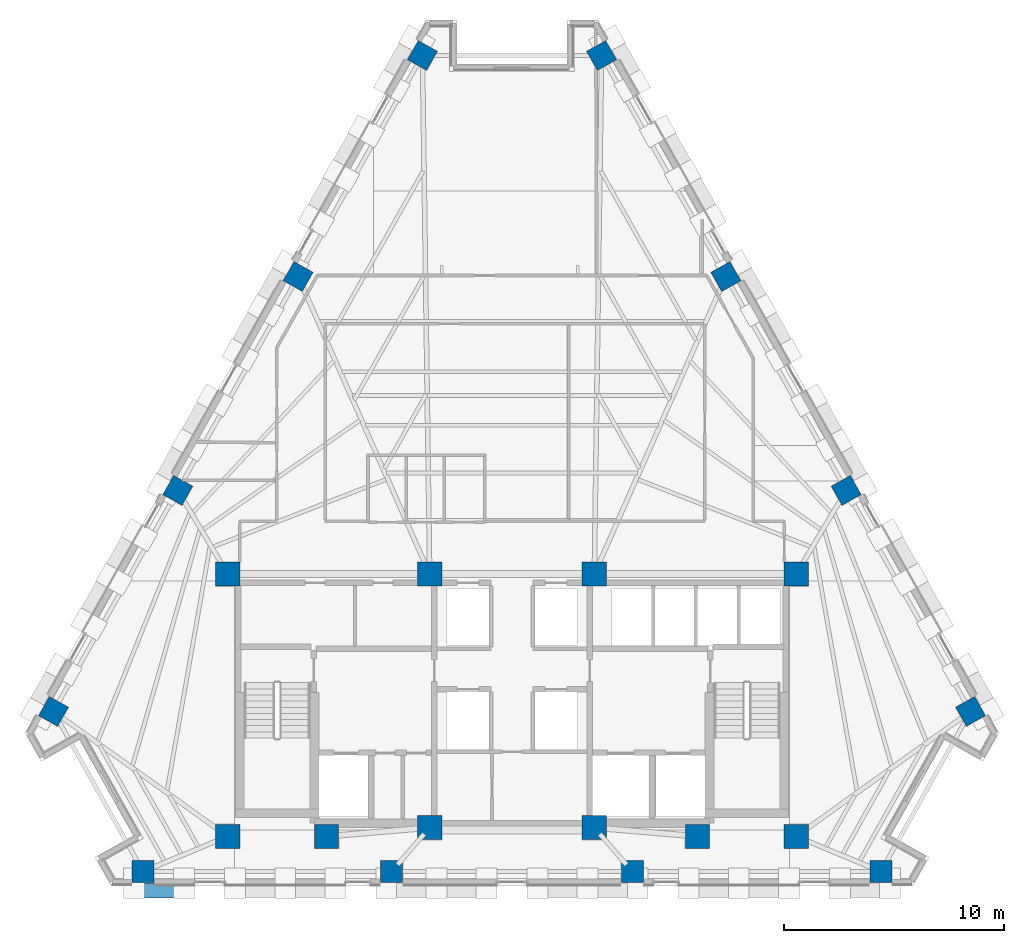
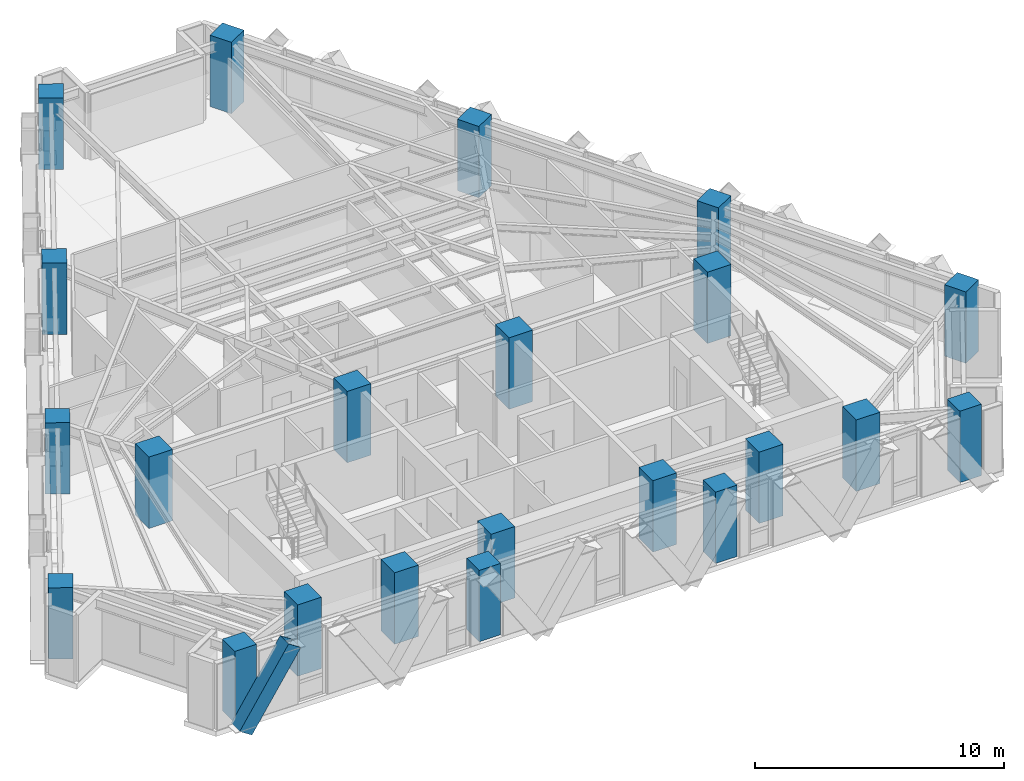
# One storey, part 1 of 13: 22 columns, 1 member.
"""IFC4 building model written with IfcOpenShell, lengths in metres."""

from ifc_helpers import new_model, si_unit, direction, frame, origin, origin_2d, place, context, subcontext, project, spatial, rectangle, hollow_rectangle, extrude, material, material_profile, profile_set, type_object, element, save


model = new_model("IFC4")

# Units and contexts
model_context = context("Model", 3, precision=1e-05, world=origin(), true_north=direction((0.0, 1.0)))
body_context = subcontext(model_context, "Body", "Model", "MODEL_VIEW")
ifc_project = project(units=[si_unit("LENGTHUNIT", "METRE"), si_unit("AREAUNIT", "SQUARE_METRE"), si_unit("VOLUMEUNIT", "CUBIC_METRE"), si_unit("PLANEANGLEUNIT", "RADIAN"), si_unit("MASSUNIT", "GRAM", prefix="KILO")], contexts=[model_context])

# Site, building, storey
site_placement = place(None, origin())
site = spatial("IfcSite", under=ifc_project, at=site_placement, CompositionType="ELEMENT")
building_placement = place(site_placement, origin())
building = spatial("IfcBuilding", under=site, at=building_placement, Name="Quenlor Broadcast Tower", CompositionType="ELEMENT")
storey_placement = place(building_placement, frame((0.0, 0.0, 161.5)))
storey = spatial("IfcBuildingStorey", under=building, at=storey_placement, Name="L44", CompositionType="ELEMENT", Elevation=161.5)

# Columns
ifc_material_1 = material(Name="Concrete C65/80", Category="concrete")
ifc_material_profile_1 = material_profile(ifc_material_1, rectangle(XDim=1.10009765625, YDim=1.10009765625, at=origin_2d()))
ifc_profile_set_1 = profile_set([ifc_material_profile_1], Name="Concrete C65/80 RC1100x1100")
column_type_1 = type_object("IfcColumnType", Name="Core Corner Column Mid Concrete C65/80 1100", PredefinedType="COLUMN", material=ifc_profile_set_1)
for number, where, z_axis, x_axis, name in (
    (1, (-12.949951171875, -16.75, 0.0), (0.0, 0.0, 1.0), (1.0, 0.0, 0.0), "L44 Core Column CC1"),
    (2, (-8.449951171875, -16.75, 0.0), (0.0, 0.0, 1.0), (1.0, 0.0, 0.0), "L44 Core Column CC2"),
    (3, (-3.75, -16.35009765625, 0.0), (0.0, 0.0, 1.0), (1.0, 0.0, 0.0), "L44 Core Column CC3"),
    (4, (3.75, -16.35009765625, 0.0), (0.0, 0.0, 1.0), (1.0, 0.0, 0.0), "L44 Core Column CC4"),
    (5, (8.449951171875, -16.75, 0.0), (0.0, 0.0, 1.0), (1.0, 0.0, 0.0), "L44 Core Column CC5"),
    (6, (12.949951171875, -16.75, 0.0), (0.0, 0.0, 1.0), (1.0, 0.0, 0.0), "L44 Core Column CC6"),
    (7, (-12.949951171875, -4.800048828125, 0.0), (0.0, 0.0, 1.0), (1.0, 0.0, 0.0), "L44 Core Column CC7"),
    (8, (-3.75, -4.800048828125, 0.0), (0.0, 0.0, 1.0), (1.0, 0.0, 0.0), "L44 Core Column CC8"),
    (9, (3.75, -4.800048828125, 0.0), (0.0, 0.0, 1.0), (1.0, 0.0, 0.0), "L44 Core Column CC9"),
    (10, (12.949951171875, -4.800048828125, 0.0), (0.0, 0.0, 1.0), (1.0, 0.0, 0.0), "L44 Core Column CC10"),
):
    element("IfcColumn", number, at=place(storey_placement, frame(where, z_axis=z_axis, x_axis=x_axis)), inside=storey, type_object=column_type_1, Name=name, PredefinedType="COLUMN", context=body_context, shape_type="SweptSolid", body=[
        extrude(rectangle(XDim=1.10009765625, YDim=1.10009765625, at=origin_2d()), origin(), (0.0, 0.0, 1.0), 3.5),
    ])
ifc_material_2 = material(Name="Concrete C50/60", Category="concrete")
ifc_material_profile_2 = material_profile(ifc_material_2, rectangle(XDim=1.0, YDim=1.0, at=origin_2d()))
ifc_profile_set_2 = profile_set([ifc_material_profile_2], Name="Concrete C50/60 RC1000x1000")
column_type_2 = type_object("IfcColumnType", Name="Tower Perimeter Column Z3 Concrete C50/60 1000", PredefinedType="COLUMN", material=ifc_profile_set_2)
for number, where, z_axis, x_axis, name in (
    (11, (-16.808349609375, -18.35009765625, 0.0), (0.0, 0.0, 1.0), (0.0, 1.0, 0.0), "L44 Perimeter Column S1"),
    (12, (-5.48095703125, -18.35009765625, 0.0), (0.0, 0.0, 1.0), (0.0, 1.0, 0.0), "L44 Perimeter Column S2"),
    (13, (5.48095703125, -18.35009765625, 0.0), (0.0, 0.0, 1.0), (0.0, 1.0, 0.0), "L44 Perimeter Column S3"),
    (14, (16.808349609375, -18.35009765625, 0.0), (0.0, 0.0, 1.0), (0.0, 1.0, 0.0), "L44 Perimeter Column S4"),
    (15, (20.8876953125, -11.0595703125, 0.0), (0.0, 0.0, 1.0), (0.871575139605, 0.490261946333, 0.0), "L44 Perimeter Column NE1"),
    (16, (15.22412109375, -0.99072265625, 0.0), (0.0, 0.0, 1.0), (0.871575139605, 0.490261946333, 0.0), "L44 Perimeter Column NE2"),
    (17, (9.742919921875, 8.75341796875, 0.0), (0.0, 0.0, 1.0), (0.871575139605, 0.490261946333, 0.0), "L44 Perimeter Column NE3"),
    (18, (4.079345703125, 18.822021484375, 0.0), (0.0, 0.0, 1.0), (0.871575139605, 0.490261946333, 0.0), "L44 Perimeter Column NE4"),
    (19, (-4.079345703125, 18.822021484375, 0.0), (0.0, 0.0, 1.0), (-0.871575139605, 0.490261946333, 0.0), "L44 Perimeter Column NW1"),
    (20, (-9.742919921875, 8.75341796875, 0.0), (0.0, 0.0, 1.0), (-0.871575139605, 0.490261946333, 0.0), "L44 Perimeter Column NW2"),
    (21, (-15.22412109375, -0.99072265625, 0.0), (0.0, 0.0, 1.0), (-0.871575139605, 0.490261946333, 0.0), "L44 Perimeter Column NW3"),
    (22, (-20.8876953125, -11.0595703125, 0.0), (0.0, 0.0, 1.0), (-0.871575139605, 0.490261946333, 0.0), "L44 Perimeter Column NW4"),
):
    element("IfcColumn", number, at=place(storey_placement, frame(where, z_axis=z_axis, x_axis=x_axis)), inside=storey, type_object=column_type_2, Name=name, PredefinedType="COLUMN", context=body_context, shape_type="SweptSolid", body=[
        extrude(rectangle(XDim=1.0, YDim=1.0, at=origin_2d()), origin(), (0.0, 0.0, 1.0), 3.5),
    ])

# Member
ifc_material_3 = material(Name="Steel S355", Category="steel")
ifc_material_profile_3 = material_profile(ifc_material_3, hollow_rectangle(XDim=0.679931640625, YDim=0.679931640625, WallThickness=0.02490234375, at=origin_2d()))
ifc_profile_set_3 = profile_set([ifc_material_profile_3], Name="Steel S355 RHS680x680x25")
member_type = type_object("IfcMemberType", Name="Perimeter Diagonal Lattice Brace Z3-Z4 Steel S355 RHS680x25", PredefinedType="BRACE", material=ifc_profile_set_3)
member_placement = place(storey_placement, frame((-17.206298828125, -19.219970703125, -0.1201171875), z_axis=(0.543901560697, 0.0, 0.839149028643), x_axis=(0.0, 1.0, 0.0)))
element("IfcMember", 23, at=member_placement, inside=storey, type_object=member_type, Name="L44 Perimeter Diamond Lattice S-C5B", PredefinedType="BRACE", context=body_context, shape_type="SweptSolid", body=[
    extrude(hollow_rectangle(XDim=0.679931640625, YDim=0.679931640625, WallThickness=0.02490234375, at=origin_2d()), origin(), (0.0, 0.0, 1.0), 4.1708984375),
])

save(model, "model.ifc")
